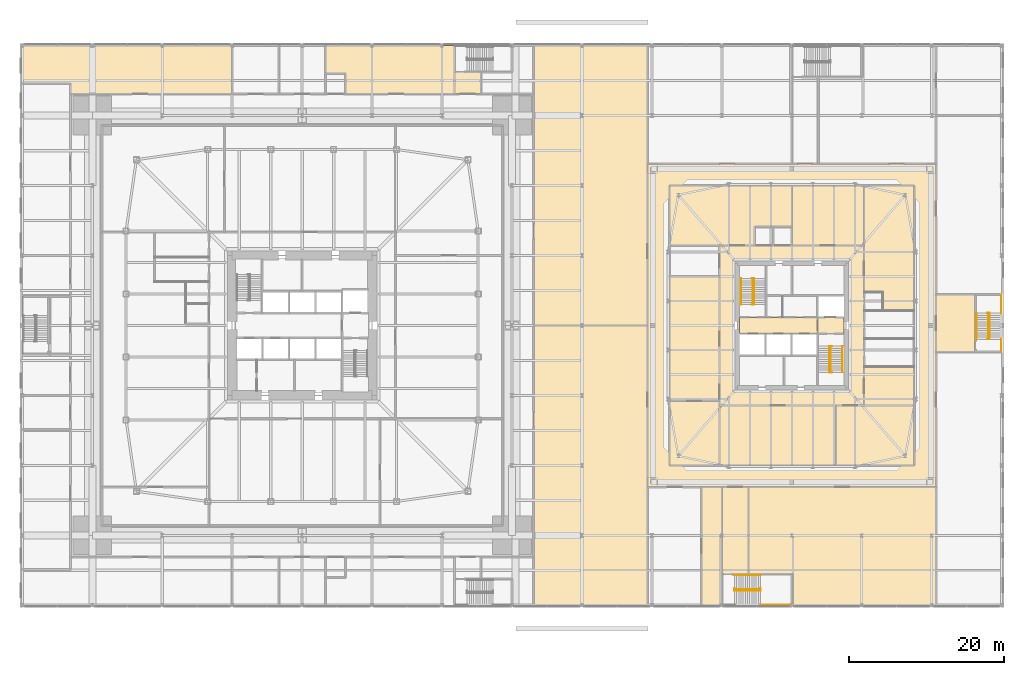
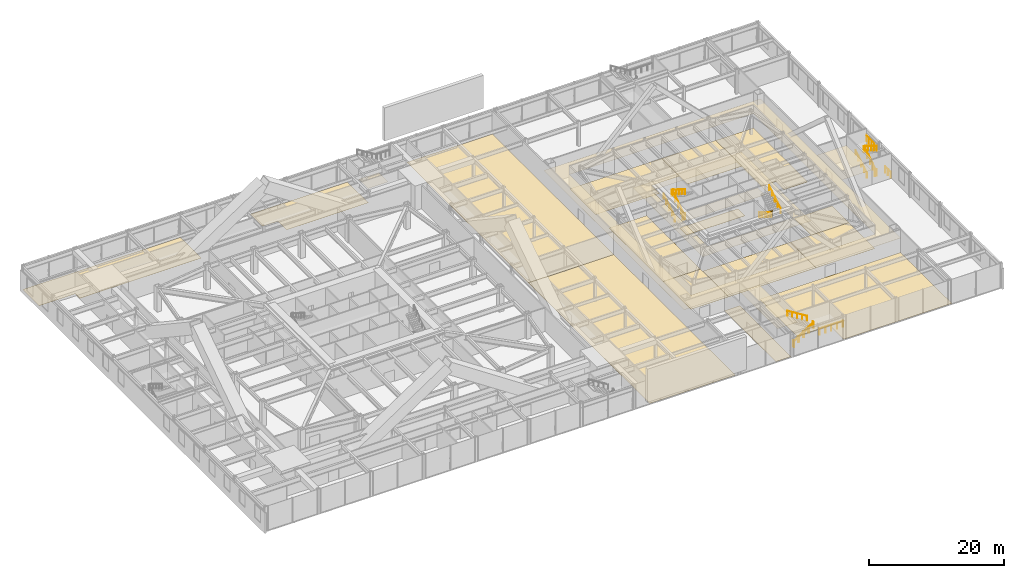
# One storey, part 31 of 32: 22 coverings, 15 railings.
"""IFC4 building model written with IfcOpenShell, lengths in metres."""

import ifcopenshell
import ifcopenshell.guid

model = None  # the IFC model being written
_history = None  # IfcOwnerHistory: only IFC2X3 demands one
_inside = {}  # id of a spatial element -> (the spatial element, [elements in it])
_under = {}  # id of a project, library or spatial element -> (it, [spatial elements below it])
_declared = {}  # id of a project -> (the project, [libraries it declares])
_typed = {}  # id of a type object -> (the type object, [elements of that type])
_made_of = {}  # id of a material, layer set ... -> (it, [elements and type objects made of it])


def new_model(schema):
    """Start an empty IFC model of exactly this schema.

    Asked for "IFC4X3", IfcOpenShell would pick the latest addendum, in which some entities
    have other attributes; the version numbers below select the first issue.
    IFC2X3 requires an IfcOwnerHistory on every rooted entity: one is made here for all.
    """
    global model, _history
    if schema == "IFC4X3":
        model = ifcopenshell.file(schema_version=(4, 3, 0, 0))
    else:
        model = ifcopenshell.file(schema=schema)
    _inside.clear()
    _under.clear()
    _declared.clear()
    _typed.clear()
    _made_of.clear()
    _history = None
    if model.schema == "IFC2X3":
        org = make("IfcOrganization", Name="unknown")
        user = make(
            "IfcPersonAndOrganization",
            ThePerson=make("IfcPerson", FamilyName="unknown"),
            TheOrganization=org,
        )
        app = make(
            "IfcApplication",
            ApplicationDeveloper=org,
            Version="unknown",
            ApplicationFullName="unknown",
            ApplicationIdentifier="unknown",
        )
        _history = make(
            "IfcOwnerHistory",
            OwningUser=user,
            OwningApplication=app,
            ChangeAction="ADDED",
            CreationDate=0,
        )
    return model


def make(cls, **values):
    """One entity of the class cls with the attributes given. An attribute that is None is left unset."""
    return model.create_entity(
        cls, **{name: value for name, value in values.items() if value is not None}
    )


def rooted(cls, **values):
    """An entity with a GlobalId (a new one), such as an element, a storey or a relation."""
    return make(cls, GlobalId=ifcopenshell.guid.new(), OwnerHistory=_history, **values)


def si_unit(unit_type, name, prefix=None):
    """IfcSIUnit, for example si_unit("LENGTHUNIT", "METRE", prefix="MILLI")."""
    return make("IfcSIUnit", UnitType=unit_type, Prefix=prefix, Name=name)


def assignment(units):
    """IfcUnitAssignment: the units of a project."""
    return None if units is None else make("IfcUnitAssignment", Units=units)


def point(xyz):
    """IfcCartesianPoint."""
    return None if xyz is None else make("IfcCartesianPoint", Coordinates=xyz)


def direction(xyz):
    """IfcDirection."""
    return None if xyz is None else make("IfcDirection", DirectionRatios=xyz)


def frame(location, z_axis=None, x_axis=None):
    """IfcAxis2Placement3D, a coordinate frame: its origin and axes. An axis left out is left unset."""
    return make(
        "IfcAxis2Placement3D",
        Location=point(location),
        Axis=direction(z_axis),
        RefDirection=direction(x_axis),
    )


def frame_2d(location, x_axis=None):
    """IfcAxis2Placement2D, a coordinate frame in the plane: its origin and x axis."""
    return make(
        "IfcAxis2Placement2D", Location=point(location), RefDirection=direction(x_axis)
    )


def origin():
    """The frame at (0, 0, 0) with its axes left unset."""
    return frame((0.0, 0.0, 0.0))


def origin_2d():
    """The frame at (0, 0) in the plane with its x axis left unset."""
    return frame_2d((0.0, 0.0))


def place(relative_to, where):
    """IfcLocalPlacement: puts the frame where relative to a parent placement (None: the world)."""
    return make(
        "IfcLocalPlacement", PlacementRelTo=relative_to, RelativePlacement=where
    )


def context(
    kind, dimensions, precision=None, world=None, true_north=None, identifier=None
):
    """IfcGeometricRepresentationContext, for example the 3D "Model" context."""
    return make(
        "IfcGeometricRepresentationContext",
        ContextIdentifier=identifier,
        ContextType=kind,
        CoordinateSpaceDimension=dimensions,
        Precision=precision,
        WorldCoordinateSystem=world,
        TrueNorth=true_north,
    )


def subcontext(parent, identifier, kind, view, scale=None):
    """IfcGeometricRepresentationSubContext, for example "Body" below "Model"."""
    return make(
        "IfcGeometricRepresentationSubContext",
        ContextIdentifier=identifier,
        ContextType=kind,
        ParentContext=parent,
        TargetScale=scale,
        TargetView=view,
    )


def project(units=None, contexts=None):
    """IfcProject with its units and contexts."""
    return rooted(
        "IfcProject",
        Name="project",
        RepresentationContexts=contexts,
        UnitsInContext=assignment(units),
    )


def spatial(cls, under=None, at=None, **own):
    """A site, building, storey or space (cls), placed at a placement, below another one or the project."""
    s = rooted(cls, ObjectPlacement=at, **own)
    if under is not None:
        _under.setdefault(under.id(), (under, []))[1].append(s)
    return s


def polyline(points):
    """IfcPolyline through the points."""
    return make("IfcPolyline", Points=[point(p) for p in points])


def profile(cls, at=None, kind="AREA", **sizes):
    """A parametric profile (cls). Its sizes go by their IFC names, for example OverallWidth=200.0."""
    return make(cls, ProfileType=kind, Position=at, **sizes)


def circle(**sizes):
    """IfcCircleProfileDef."""
    return profile("IfcCircleProfileDef", **sizes)


def outline(outer, holes=None, kind="AREA"):
    """IfcArbitraryClosedProfileDef: a profile drawn as a closed curve; with holes, ...WithVoids."""
    if holes is None:
        return make("IfcArbitraryClosedProfileDef", ProfileType=kind, OuterCurve=outer)
    return make(
        "IfcArbitraryProfileDefWithVoids",
        ProfileType=kind,
        OuterCurve=outer,
        InnerCurves=holes,
    )


def extrude(swept, where, along, depth):
    """IfcExtrudedAreaSolid: the profile swept, set in the frame where, extruded along a direction by depth."""
    return make(
        "IfcExtrudedAreaSolid",
        SweptArea=swept,
        Position=where,
        ExtrudedDirection=direction(along),
        Depth=depth,
    )


def shape(context_of_items, identifier, shape_type, items):
    """IfcShapeRepresentation: the items that make up one representation, for example the "Body"."""
    return make(
        "IfcShapeRepresentation",
        ContextOfItems=context_of_items,
        RepresentationIdentifier=identifier,
        RepresentationType=shape_type,
        Items=items,
    )


def material(Name=None, Category=None):
    """IfcMaterial."""
    return make("IfcMaterial", Name=Name, Category=Category)


def layer(
    of_material, thickness, ventilated=None, Name=None, Category=None, Priority=None
):
    """IfcMaterialLayer: one layer of a wall or slab, of a material (None: an air gap)."""
    return make(
        "IfcMaterialLayer",
        Material=of_material,
        LayerThickness=thickness,
        IsVentilated=ventilated,
        Name=Name,
        Category=Category,
        Priority=Priority,
    )


def layer_set(layers, Name=None):
    """IfcMaterialLayerSet."""
    return make("IfcMaterialLayerSet", MaterialLayers=layers, LayerSetName=Name)


def constituent(of_material, Name=None, Category=None, fraction=None):
    """IfcMaterialConstituent: one of the materials an element consists of."""
    return make(
        "IfcMaterialConstituent",
        Name=Name,
        Material=of_material,
        Fraction=fraction,
        Category=Category,
    )


def constituent_set(constituents=None, Name=None):
    """IfcMaterialConstituentSet."""
    return make(
        "IfcMaterialConstituentSet", Name=Name, MaterialConstituents=constituents
    )


def made_of(thing, what):
    """Note that an element or type object is made of a material, layer set ...; save() writes the relation."""
    if what is not None:
        _made_of.setdefault(what.id(), (what, []))[1].append(thing)
    return thing


def type_object(cls, material=None, **own):
    """A type object (cls), such as IfcWallType, which elements share."""
    return made_of(rooted(cls, **own), material)


def element(
    cls,
    number,
    at=None,
    inside=None,
    cuts=None,
    type_object=None,
    material=None,
    context=None,
    identifier="Body",
    shape_type=None,
    held_by="IfcProductDefinitionShape",
    body=None,
    shapes=None,
    **own,
):
    """One element of the class cls, such as IfcWall. Its Tag is "e" and its number.

    at: its placement. inside: the storey or other place that contains it. cuts: it is an
    opening in that element (IfcRelVoidsElement). A single representation is given by context,
    identifier, shape_type and body (its items); several are given by shapes. held_by: the class
    of the entity that holds the representations. save() writes the other relations.
    """
    e = rooted(cls, Tag="e%d" % number, ObjectPlacement=at, **own)
    if body is not None:
        shapes = [shape(context, identifier, shape_type, body)]
    if shapes is not None:
        e.Representation = make(held_by, Representations=shapes)
    if inside is not None:
        _inside.setdefault(inside.id(), (inside, []))[1].append(e)
    if cuts is not None:
        rooted(
            "IfcRelVoidsElement", RelatingBuildingElement=cuts, RelatedOpeningElement=e
        )
    if type_object is not None:
        _typed.setdefault(type_object.id(), (type_object, []))[1].append(e)
    return made_of(e, material)


def aggregate(whole, parts):
    """IfcRelAggregates: a whole, such as a stair, and the parts it consists of."""
    return rooted("IfcRelAggregates", RelatingObject=whole, RelatedObjects=parts)


def save(model, path):
    """Write the relations noted so far, then the file.

    IfcRelAggregates (storeys below a building ...), IfcRelContainedInSpatialStructure (elements
    in a storey), IfcRelDefinesByType, IfcRelAssociatesMaterial and IfcRelDeclares: one each for
    every whole, place, type object, material and project.
    """
    for whole, parts in _under.values():
        aggregate(whole, parts)
    for where, things in _inside.values():
        rooted(
            "IfcRelContainedInSpatialStructure",
            RelatedElements=things,
            RelatingStructure=where,
        )
    for kind, things in _typed.values():
        rooted("IfcRelDefinesByType", RelatedObjects=things, RelatingType=kind)
    for what, things in _made_of.values():
        rooted("IfcRelAssociatesMaterial", RelatedObjects=things, RelatingMaterial=what)
    for by, libraries in _declared.values():
        rooted("IfcRelDeclares", RelatingContext=by, RelatedDefinitions=libraries)
    model.write(path)


model = new_model("IFC4")

# Units and contexts
model_context = context("Model", 3, precision=1e-05, world=origin(), true_north=direction((0.0, 1.0)))
body_context = subcontext(model_context, "Body", "Model", "MODEL_VIEW")
ifc_project = project(units=[si_unit("LENGTHUNIT", "METRE"), si_unit("AREAUNIT", "SQUARE_METRE"), si_unit("VOLUMEUNIT", "CUBIC_METRE"), si_unit("PLANEANGLEUNIT", "RADIAN"), si_unit("MASSUNIT", "GRAM", prefix="KILO")], contexts=[model_context])

# Site, building, storey
site_placement = place(None, origin())
site = spatial("IfcSite", under=ifc_project, at=site_placement, CompositionType="ELEMENT")
building_placement = place(site_placement, origin())
building = spatial("IfcBuilding", under=site, at=building_placement, Name="Iwan Alto Co-Living Towers", CompositionType="ELEMENT")
storey_placement = place(building_placement, frame((0.0, 0.0, 6.0)))
storey = spatial("IfcBuildingStorey", under=building, at=storey_placement, Name="L01", CompositionType="ELEMENT", Elevation=6.0)

# Coverings
ifc_material_1 = material(Name="Mineral fibre acoustic tiles on steel grid", Category="steel")
ifc_layer_1 = layer(ifc_material_1, 0.02001953125)
ifc_layer_set_1 = layer_set([ifc_layer_1], Name="ACOUSTIC TILE CEILING 20")
covering_type_1 = type_object("IfcCoveringType", Name="ACOUSTIC TILE CEILING 20", PredefinedType="CEILING", material=ifc_layer_set_1)
covering_1_placement = place(storey_placement, frame((0.0, 0.0, 2.60009765625)))
element("IfcCovering", 1, at=covering_1_placement, inside=storey, type_object=covering_type_1, Name="Ceiling Lift lobby L01", PredefinedType="CEILING", context=body_context, shape_type="SweptSolid", body=[
    extrude(outline(polyline([(56.300048828125, -1.050048828125), (56.300048828125, 1.050048828125), (66.300048828125, 1.050048828125), (66.300048828125, -1.050048828125), (56.300048828125, -1.050048828125)])), origin(), (0.0, 0.0, 1.0), 0.02001953125),
])
covering_2_placement = place(storey_placement, frame((0.0, 0.0, 2.60009765625)))
element("IfcCovering", 2, at=covering_2_placement, inside=storey, type_object=covering_type_1, Name="Ceiling Firefighting lobby L01", PredefinedType="CEILING", context=body_context, shape_type="SweptSolid", body=[
    extrude(outline(polyline([(66.300048828125, -1.050048828125), (66.300048828125, 1.050048828125), (69.699951171875, 1.050048828125), (69.699951171875, -1.050048828125), (66.300048828125, -1.050048828125)])), origin(), (0.0, 0.0, 1.0), 0.02001953125),
])

# Railings
ifc_material_2 = material(Name="Steel ASTM A500 Gr C", Category="steel")
ifc_constituent_1 = constituent(ifc_material_2, Name="Rails and posts", Category="Framing")
ifc_material_3 = material(Name="Steel ASTM A36", Category="steel")
ifc_constituent_2 = constituent(ifc_material_3, Name="Bar infill", Category="Infill")
ifc_constituent_set = constituent_set(constituents=[ifc_constituent_1, ifc_constituent_2], Name="STAIR GUARD 1100")
railing_type_1 = type_object("IfcRailingType", Name="STAIR GUARD 1100", PredefinedType="GUARDRAIL", material=ifc_constituent_set)
railing_1_placement = place(storey_placement, frame((88.300048828125, -1.780029296875, 0.0)))
element("IfcRailing", 3, at=railing_1_placement, inside=storey, type_object=railing_type_1, Name="Stair PS2 well guard L01", PredefinedType="GUARDRAIL", context=body_context, shape_type="SweptSolid", body=[
    extrude(circle(Radius=0.02392578125, at=origin_2d()), frame((0.0, 0.0, 1.076171875), z_axis=(0.0, 0.830915400975, 0.556398774641), x_axis=(-1.0, 0.0, 0.0)), (0.0, 0.0, 1.0), 4.0439453125),
    extrude(circle(Radius=0.02392578125, at=origin_2d()), frame((-0.150146484375, 0.0, 1.076171875), z_axis=(1.0, 0.0, 0.0), x_axis=(0.0, 1.0, 0.0)), (0.0, 0.0, 1.0), 0.300048828125),
    extrude(circle(Radius=0.02392578125, at=origin_2d()), frame((-0.150146484375, 3.360107421875, 3.326171875), z_axis=(1.0, 0.0, 0.0), x_axis=(0.0, 1.0, 0.0)), (0.0, 0.0, 1.0), 0.300048828125),
    extrude(circle(Radius=0.02099609375, at=origin_2d()), origin(), (0.0, 0.0, 1.0), 1.052001953125),
    extrude(circle(Radius=0.02099609375, at=origin_2d()), frame((0.0, 0.840087890625, 0.5625)), (0.0, 0.0, 1.0), 1.052001953125),
    extrude(circle(Radius=0.02099609375, at=origin_2d()), frame((0.0, 1.68017578125, 1.125)), (0.0, 0.0, 1.0), 1.052001953125),
    extrude(circle(Radius=0.02099609375, at=origin_2d()), frame((0.0, 2.52001953125, 1.6875)), (0.0, 0.0, 1.0), 1.052001953125),
    extrude(circle(Radius=0.02099609375, at=origin_2d()), frame((0.0, 3.360107421875, 2.25)), (0.0, 0.0, 1.0), 1.052001953125),
    extrude(circle(Radius=0.02099609375, at=origin_2d()), frame((-0.150146484375, 0.0, 0.0)), (0.0, 0.0, 1.0), 1.052001953125),
    extrude(circle(Radius=0.02099609375, at=origin_2d()), frame((0.14990234375, 0.0, 0.0)), (0.0, 0.0, 1.0), 1.052001953125),
    extrude(circle(Radius=0.02099609375, at=origin_2d()), frame((-0.150146484375, 3.360107421875, 2.25)), (0.0, 0.0, 1.0), 1.052001953125),
    extrude(circle(Radius=0.02099609375, at=origin_2d()), frame((0.14990234375, 3.360107421875, 2.25)), (0.0, 0.0, 1.0), 1.052001953125),
])
railing_2_placement = place(storey_placement, frame((89.93994140625, -3.35009765625, 0.0)))
element("IfcRailing", 4, at=railing_2_placement, inside=storey, type_object=railing_type_1, Name="Stair PS2 edge guard L01 1", PredefinedType="GUARDRAIL", context=body_context, shape_type="SweptSolid", body=[
    extrude(circle(Radius=0.02392578125, at=origin_2d()), frame((0.0, 0.0, 1.076171875), z_axis=(0.0, 1.0, 0.0), x_axis=(-1.0, 0.0, 0.0)), (0.0, 0.0, 1.0), 1.6201171875),
    extrude(circle(Radius=0.02099609375, at=origin_2d()), origin(), (0.0, 0.0, 1.0), 1.052001953125),
    extrude(circle(Radius=0.02099609375, at=origin_2d()), frame((0.0, 0.81005859375, 0.0)), (0.0, 0.0, 1.0), 1.052001953125),
    extrude(circle(Radius=0.02099609375, at=origin_2d()), frame((0.0, 1.6201171875, 0.0)), (0.0, 0.0, 1.0), 1.052001953125),
])
railing_3_placement = place(storey_placement, frame((89.93994140625, 1.530029296875, 2.25)))
element("IfcRailing", 5, at=railing_3_placement, inside=storey, type_object=railing_type_1, Name="Stair PS2 edge guard L01 2", PredefinedType="GUARDRAIL", context=body_context, shape_type="SweptSolid", body=[
    extrude(circle(Radius=0.02392578125, at=origin_2d()), frame((0.0, 0.0, 1.076171875), z_axis=(0.0, 1.0, 0.0), x_axis=(-1.0, 0.0, 0.0)), (0.0, 0.0, 1.0), 2.419921875),
    extrude(circle(Radius=0.02099609375, at=origin_2d()), origin(), (0.0, 0.0, 1.0), 1.052001953125),
    extrude(circle(Radius=0.02099609375, at=origin_2d()), frame((0.0, 0.806640625, 0.0)), (0.0, 0.0, 1.0), 1.052001953125),
    extrude(circle(Radius=0.02099609375, at=origin_2d()), frame((0.0, 1.61328125, 0.0)), (0.0, 0.0, 1.0), 1.052001953125),
    extrude(circle(Radius=0.02099609375, at=origin_2d()), frame((0.0, 2.419921875, 0.0)), (0.0, 0.0, 1.0), 1.052001953125),
])
railing_4_placement = place(storey_placement, frame((55.6201171875, -33.97998046875, 0.0)))
element("IfcRailing", 6, at=railing_4_placement, inside=storey, type_object=railing_type_1, Name="Stair PS6 well guard L01", PredefinedType="GUARDRAIL", context=body_context, shape_type="SweptSolid", body=[
    extrude(circle(Radius=0.02392578125, at=origin_2d()), frame((0.0, 0.0, 1.076171875), z_axis=(0.830896709279, 0.0, 0.556426687452), x_axis=(0.0, 1.0, 0.0)), (0.0, 0.0, 1.0), 4.043701171875),
    extrude(circle(Radius=0.02392578125, at=origin_2d()), frame((0.0, -0.14990234375, 1.076171875), z_axis=(0.0, 1.0, 0.0), x_axis=(-1.0, 0.0, 0.0)), (0.0, 0.0, 1.0), 0.2998046875),
    extrude(circle(Radius=0.02392578125, at=origin_2d()), frame((3.35986328125, -0.14990234375, 3.326171875), z_axis=(0.0, 1.0, 0.0), x_axis=(-1.0, 0.0, 0.0)), (0.0, 0.0, 1.0), 0.2998046875),
    extrude(circle(Radius=0.02099609375, at=origin_2d()), origin(), (0.0, 0.0, 1.0), 1.052001953125),
    extrude(circle(Radius=0.02099609375, at=origin_2d()), frame((0.83984375, 0.0, 0.5625)), (0.0, 0.0, 1.0), 1.052001953125),
    extrude(circle(Radius=0.02099609375, at=origin_2d()), frame((1.679931640625, 0.0, 1.125)), (0.0, 0.0, 1.0), 1.052001953125),
    extrude(circle(Radius=0.02099609375, at=origin_2d()), frame((2.52001953125, 0.0, 1.6875)), (0.0, 0.0, 1.0), 1.052001953125),
    extrude(circle(Radius=0.02099609375, at=origin_2d()), frame((3.35986328125, 0.0, 2.25)), (0.0, 0.0, 1.0), 1.052001953125),
    extrude(circle(Radius=0.02099609375, at=origin_2d()), frame((0.0, -0.14990234375, 0.0)), (0.0, 0.0, 1.0), 1.052001953125),
    extrude(circle(Radius=0.02099609375, at=origin_2d()), frame((0.0, 0.14990234375, 0.0)), (0.0, 0.0, 1.0), 1.052001953125),
    extrude(circle(Radius=0.02099609375, at=origin_2d()), frame((3.35986328125, -0.14990234375, 2.25)), (0.0, 0.0, 1.0), 1.052001953125),
    extrude(circle(Radius=0.02099609375, at=origin_2d()), frame((3.35986328125, 0.14990234375, 2.25)), (0.0, 0.0, 1.0), 1.052001953125),
])
railing_5_placement = place(storey_placement, frame((58.929931640625, -35.93994140625, 2.25)))
element("IfcRailing", 7, at=railing_5_placement, inside=storey, type_object=railing_type_1, Name="Stair PS6 edge guard L01 2", PredefinedType="GUARDRAIL", context=body_context, shape_type="SweptSolid", body=[
    extrude(circle(Radius=0.02392578125, at=origin_2d()), frame((0.0, 0.0, 1.076171875), z_axis=(1.0, 0.0, 0.0), x_axis=(0.0, 1.0, 0.0)), (0.0, 0.0, 1.0), 4.02001953125),
    extrude(circle(Radius=0.02099609375, at=origin_2d()), origin(), (0.0, 0.0, 1.0), 1.052001953125),
    extrude(circle(Radius=0.02099609375, at=origin_2d()), frame((1.0048828125, 0.0, 0.0)), (0.0, 0.0, 1.0), 1.052001953125),
    extrude(circle(Radius=0.02099609375, at=origin_2d()), frame((2.010009765625, 0.0, 0.0)), (0.0, 0.0, 1.0), 1.052001953125),
    extrude(circle(Radius=0.02099609375, at=origin_2d()), frame((3.01513671875, 0.0, 0.0)), (0.0, 0.0, 1.0), 1.052001953125),
    extrude(circle(Radius=0.02099609375, at=origin_2d()), frame((4.02001953125, 0.0, 0.0)), (0.0, 0.0, 1.0), 1.052001953125),
])
railing_6_placement = place(storey_placement, frame((58.0, 2.669921875, 0.0)))
element("IfcRailing", 8, at=railing_6_placement, inside=storey, type_object=railing_type_1, Name="Stair T2-S1 well guard L01", PredefinedType="GUARDRAIL", context=body_context, shape_type="SweptSolid", body=[
    extrude(circle(Radius=0.02392578125, at=origin_2d()), frame((0.0, 0.0, 1.076171875), z_axis=(0.0, 0.830915400975, 0.556398774641), x_axis=(-1.0, 0.0, 0.0)), (0.0, 0.0, 1.0), 4.0439453125),
    extrude(circle(Radius=0.02392578125, at=origin_2d()), frame((-0.14990234375, 0.0, 1.076171875), z_axis=(1.0, 0.0, 0.0), x_axis=(0.0, 1.0, 0.0)), (0.0, 0.0, 1.0), 0.2998046875),
    extrude(circle(Radius=0.02392578125, at=origin_2d()), frame((-0.14990234375, 3.360107421875, 3.326171875), z_axis=(1.0, 0.0, 0.0), x_axis=(0.0, 1.0, 0.0)), (0.0, 0.0, 1.0), 0.2998046875),
    extrude(circle(Radius=0.02099609375, at=origin_2d()), origin(), (0.0, 0.0, 1.0), 1.052001953125),
    extrude(circle(Radius=0.02099609375, at=origin_2d()), frame((0.0, 0.840087890625, 0.5625)), (0.0, 0.0, 1.0), 1.052001953125),
    extrude(circle(Radius=0.02099609375, at=origin_2d()), frame((0.0, 1.68017578125, 1.125)), (0.0, 0.0, 1.0), 1.052001953125),
    extrude(circle(Radius=0.02099609375, at=origin_2d()), frame((0.0, 2.52001953125, 1.6875)), (0.0, 0.0, 1.0), 1.052001953125),
    extrude(circle(Radius=0.02099609375, at=origin_2d()), frame((0.0, 3.360107421875, 2.25)), (0.0, 0.0, 1.0), 1.052001953125),
    extrude(circle(Radius=0.02099609375, at=origin_2d()), frame((-0.14990234375, 0.0, 0.0)), (0.0, 0.0, 1.0), 1.052001953125),
    extrude(circle(Radius=0.02099609375, at=origin_2d()), frame((0.14990234375, 0.0, 0.0)), (0.0, 0.0, 1.0), 1.052001953125),
    extrude(circle(Radius=0.02099609375, at=origin_2d()), frame((-0.14990234375, 3.360107421875, 2.25)), (0.0, 0.0, 1.0), 1.052001953125),
    extrude(circle(Radius=0.02099609375, at=origin_2d()), frame((0.14990234375, 3.360107421875, 2.25)), (0.0, 0.0, 1.0), 1.052001953125),
])
railing_7_placement = place(storey_placement, frame((68.0, -2.669921875, 0.0)))
element("IfcRailing", 9, at=railing_7_placement, inside=storey, type_object=railing_type_1, Name="Stair T2-S2 well guard L01", PredefinedType="GUARDRAIL", context=body_context, shape_type="SweptSolid", body=[
    extrude(circle(Radius=0.02392578125, at=origin_2d()), frame((0.0, 0.0, 1.076171875), z_axis=(0.0, -0.830915400975, 0.556398774641), x_axis=(1.0, 0.0, 0.0)), (0.0, 0.0, 1.0), 4.0439453125),
    extrude(circle(Radius=0.02392578125, at=origin_2d()), frame((-0.14990234375, 0.0, 1.076171875), z_axis=(1.0, 0.0, 0.0), x_axis=(0.0, 1.0, 0.0)), (0.0, 0.0, 1.0), 0.2998046875),
    extrude(circle(Radius=0.02392578125, at=origin_2d()), frame((-0.14990234375, -3.360107421875, 3.326171875), z_axis=(1.0, 0.0, 0.0), x_axis=(0.0, 1.0, 0.0)), (0.0, 0.0, 1.0), 0.2998046875),
    extrude(circle(Radius=0.02099609375, at=origin_2d()), origin(), (0.0, 0.0, 1.0), 1.052001953125),
    extrude(circle(Radius=0.02099609375, at=origin_2d()), frame((0.0, -0.840087890625, 0.5625)), (0.0, 0.0, 1.0), 1.052001953125),
    extrude(circle(Radius=0.02099609375, at=origin_2d()), frame((0.0, -1.68017578125, 1.125)), (0.0, 0.0, 1.0), 1.052001953125),
    extrude(circle(Radius=0.02099609375, at=origin_2d()), frame((0.0, -2.52001953125, 1.6875)), (0.0, 0.0, 1.0), 1.052001953125),
    extrude(circle(Radius=0.02099609375, at=origin_2d()), frame((0.0, -3.360107421875, 2.25)), (0.0, 0.0, 1.0), 1.052001953125),
    extrude(circle(Radius=0.02099609375, at=origin_2d()), frame((-0.14990234375, 0.0, 0.0)), (0.0, 0.0, 1.0), 1.052001953125),
    extrude(circle(Radius=0.02099609375, at=origin_2d()), frame((0.14990234375, 0.0, 0.0)), (0.0, 0.0, 1.0), 1.052001953125),
    extrude(circle(Radius=0.02099609375, at=origin_2d()), frame((-0.14990234375, -3.360107421875, 2.25)), (0.0, 0.0, 1.0), 1.052001953125),
    extrude(circle(Radius=0.02099609375, at=origin_2d()), frame((0.14990234375, -3.360107421875, 2.25)), (0.0, 0.0, 1.0), 1.052001953125),
])
ifc_material_4 = material(Name="Steel ASTM A500 Gr C", Category="steel")
railing_type_2 = type_object("IfcRailingType", Name="STAIR HANDRAIL 900", PredefinedType="HANDRAIL", material=ifc_material_4)
railing_8_placement = place(storey_placement, frame((86.77001953125, -1.780029296875, 0.173095703125)))
element("IfcRailing", 10, at=railing_8_placement, inside=storey, type_object=railing_type_2, Name="Stair PS2 handrail 1 L01", PredefinedType="HANDRAIL", context=body_context, shape_type="SweptSolid", body=[
    extrude(circle(Radius=0.02392578125, at=origin_2d()), frame((0.0, 0.0, 0.8759765625), z_axis=(0.0, 0.850623216509, 0.525775754039), x_axis=(-1.0, 0.0, 0.0)), (0.0, 0.0, 1.0), 3.9501953125),
    extrude(circle(Radius=0.02099609375, at=origin_2d()), origin(), (0.0, 0.0, 1.0), 0.851806640625),
    extrude(circle(Radius=0.02099609375, at=origin_2d()), frame((0.0, 0.840087890625, 0.519287109375)), (0.0, 0.0, 1.0), 0.851806640625),
    extrude(circle(Radius=0.02099609375, at=origin_2d()), frame((0.0, 1.68017578125, 1.03857421875)), (0.0, 0.0, 1.0), 0.851806640625),
    extrude(circle(Radius=0.02099609375, at=origin_2d()), frame((0.0, 2.52001953125, 1.5576171875)), (0.0, 0.0, 1.0), 0.851806640625),
    extrude(circle(Radius=0.02099609375, at=origin_2d()), frame((0.0, 3.360107421875, 2.076904296875)), (0.0, 0.0, 1.0), 0.851806640625),
])
railing_9_placement = place(storey_placement, frame((88.449951171875, 1.580078125, 2.423095703125)))
element("IfcRailing", 11, at=railing_9_placement, inside=storey, type_object=railing_type_2, Name="Stair PS2 handrail 2 L01", PredefinedType="HANDRAIL", context=body_context, shape_type="SweptSolid", body=[
    extrude(circle(Radius=0.02392578125, at=origin_2d()), frame((0.0, 0.0, 0.8759765625), z_axis=(0.0, -0.850623216509, 0.525775754039), x_axis=(1.0, 0.0, 0.0)), (0.0, 0.0, 1.0), 3.9501953125),
    extrude(circle(Radius=0.02099609375, at=origin_2d()), origin(), (0.0, 0.0, 1.0), 0.851806640625),
    extrude(circle(Radius=0.02099609375, at=origin_2d()), frame((0.0, -0.840087890625, 0.519287109375)), (0.0, 0.0, 1.0), 0.851806640625),
    extrude(circle(Radius=0.02099609375, at=origin_2d()), frame((0.0, -1.68017578125, 1.03857421875)), (0.0, 0.0, 1.0), 0.851806640625),
    extrude(circle(Radius=0.02099609375, at=origin_2d()), frame((0.0, -2.52001953125, 1.5576171875)), (0.0, 0.0, 1.0), 0.851806640625),
    extrude(circle(Radius=0.02099609375, at=origin_2d()), frame((0.0, -3.360107421875, 2.076904296875)), (0.0, 0.0, 1.0), 0.851806640625),
])
railing_10_placement = place(storey_placement, frame((55.6201171875, -34.1298828125, 0.173095703125)))
element("IfcRailing", 12, at=railing_10_placement, inside=storey, type_object=railing_type_2, Name="Stair PS6 handrail 1 L01", PredefinedType="HANDRAIL", context=body_context, shape_type="SweptSolid", body=[
    extrude(circle(Radius=0.02392578125, at=origin_2d()), frame((0.0, 0.0, 0.8759765625), z_axis=(0.850606129759, 0.0, 0.525803396734), x_axis=(0.0, 1.0, 0.0)), (0.0, 0.0, 1.0), 3.949951171875),
    extrude(circle(Radius=0.02099609375, at=origin_2d()), origin(), (0.0, 0.0, 1.0), 0.851806640625),
    extrude(circle(Radius=0.02099609375, at=origin_2d()), frame((0.83984375, 0.0, 0.519287109375)), (0.0, 0.0, 1.0), 0.851806640625),
    extrude(circle(Radius=0.02099609375, at=origin_2d()), frame((1.679931640625, 0.0, 1.03857421875)), (0.0, 0.0, 1.0), 0.851806640625),
    extrude(circle(Radius=0.02099609375, at=origin_2d()), frame((2.52001953125, 0.0, 1.5576171875)), (0.0, 0.0, 1.0), 0.851806640625),
    extrude(circle(Radius=0.02099609375, at=origin_2d()), frame((3.35986328125, 0.0, 2.076904296875)), (0.0, 0.0, 1.0), 0.851806640625),
])
railing_11_placement = place(storey_placement, frame((58.97998046875, -32.1298828125, 2.423095703125)))
element("IfcRailing", 13, at=railing_11_placement, inside=storey, type_object=railing_type_2, Name="Stair PS6 handrail 2 L01", PredefinedType="HANDRAIL", context=body_context, shape_type="SweptSolid", body=[
    extrude(circle(Radius=0.02392578125, at=origin_2d()), frame((0.0, 0.0, 0.8759765625), z_axis=(-0.850606129759, 0.0, 0.525803396734), x_axis=(0.0, -1.0, 0.0)), (0.0, 0.0, 1.0), 3.949951171875),
    extrude(circle(Radius=0.02099609375, at=origin_2d()), origin(), (0.0, 0.0, 1.0), 0.851806640625),
    extrude(circle(Radius=0.02099609375, at=origin_2d()), frame((-0.83984375, 0.0, 0.519287109375)), (0.0, 0.0, 1.0), 0.851806640625),
    extrude(circle(Radius=0.02099609375, at=origin_2d()), frame((-1.679931640625, 0.0, 1.03857421875)), (0.0, 0.0, 1.0), 0.851806640625),
    extrude(circle(Radius=0.02099609375, at=origin_2d()), frame((-2.52001953125, 0.0, 1.5576171875)), (0.0, 0.0, 1.0), 0.851806640625),
    extrude(circle(Radius=0.02099609375, at=origin_2d()), frame((-3.35986328125, 0.0, 2.076904296875)), (0.0, 0.0, 1.0), 0.851806640625),
])
railing_12_placement = place(storey_placement, frame((56.469970703125, 2.669921875, 0.173095703125)))
element("IfcRailing", 14, at=railing_12_placement, inside=storey, type_object=railing_type_2, Name="Stair T2-S1 handrail 1 L01", PredefinedType="HANDRAIL", context=body_context, shape_type="SweptSolid", body=[
    extrude(circle(Radius=0.02392578125, at=origin_2d()), frame((0.0, 0.0, 0.8759765625), z_axis=(0.0, 0.850623216509, 0.525775754039), x_axis=(-1.0, 0.0, 0.0)), (0.0, 0.0, 1.0), 3.9501953125),
    extrude(circle(Radius=0.02099609375, at=origin_2d()), origin(), (0.0, 0.0, 1.0), 0.851806640625),
    extrude(circle(Radius=0.02099609375, at=origin_2d()), frame((0.0, 0.840087890625, 0.519287109375)), (0.0, 0.0, 1.0), 0.851806640625),
    extrude(circle(Radius=0.02099609375, at=origin_2d()), frame((0.0, 1.68017578125, 1.03857421875)), (0.0, 0.0, 1.0), 0.851806640625),
    extrude(circle(Radius=0.02099609375, at=origin_2d()), frame((0.0, 2.52001953125, 1.5576171875)), (0.0, 0.0, 1.0), 0.851806640625),
    extrude(circle(Radius=0.02099609375, at=origin_2d()), frame((0.0, 3.360107421875, 2.076904296875)), (0.0, 0.0, 1.0), 0.851806640625),
])
for number, where, name in (
    (15, (58.14990234375, 6.030029296875, 2.423095703125), "Stair T2-S1 handrail 2 L01"),
    (16, (67.85009765625, -2.669921875, 0.173095703125), "Stair T2-S2 handrail 1 L01"),
):
    element("IfcRailing", number, at=place(storey_placement, frame(where)), inside=storey, type_object=railing_type_2, Name=name, PredefinedType="HANDRAIL", context=body_context, shape_type="SweptSolid", body=[
        extrude(circle(Radius=0.02392578125, at=origin_2d()), frame((0.0, 0.0, 0.8759765625), z_axis=(0.0, -0.850623216509, 0.525775754039), x_axis=(1.0, 0.0, 0.0)), (0.0, 0.0, 1.0), 3.9501953125),
        extrude(circle(Radius=0.02099609375, at=origin_2d()), origin(), (0.0, 0.0, 1.0), 0.851806640625),
        extrude(circle(Radius=0.02099609375, at=origin_2d()), frame((0.0, -0.840087890625, 0.519287109375)), (0.0, 0.0, 1.0), 0.851806640625),
        extrude(circle(Radius=0.02099609375, at=origin_2d()), frame((0.0, -1.68017578125, 1.03857421875)), (0.0, 0.0, 1.0), 0.851806640625),
        extrude(circle(Radius=0.02099609375, at=origin_2d()), frame((0.0, -2.52001953125, 1.5576171875)), (0.0, 0.0, 1.0), 0.851806640625),
        extrude(circle(Radius=0.02099609375, at=origin_2d()), frame((0.0, -3.360107421875, 2.076904296875)), (0.0, 0.0, 1.0), 0.851806640625),
    ])
railing_13_placement = place(storey_placement, frame((69.530029296875, -6.030029296875, 2.423095703125)))
element("IfcRailing", 17, at=railing_13_placement, inside=storey, type_object=railing_type_2, Name="Stair T2-S2 handrail 2 L01", PredefinedType="HANDRAIL", context=body_context, shape_type="SweptSolid", body=[
    extrude(circle(Radius=0.02392578125, at=origin_2d()), frame((0.0, 0.0, 0.8759765625), z_axis=(0.0, 0.850623216509, 0.525775754039), x_axis=(-1.0, 0.0, 0.0)), (0.0, 0.0, 1.0), 3.9501953125),
    extrude(circle(Radius=0.02099609375, at=origin_2d()), origin(), (0.0, 0.0, 1.0), 0.851806640625),
    extrude(circle(Radius=0.02099609375, at=origin_2d()), frame((0.0, 0.840087890625, 0.519287109375)), (0.0, 0.0, 1.0), 0.851806640625),
    extrude(circle(Radius=0.02099609375, at=origin_2d()), frame((0.0, 1.68017578125, 1.03857421875)), (0.0, 0.0, 1.0), 0.851806640625),
    extrude(circle(Radius=0.02099609375, at=origin_2d()), frame((0.0, 2.52001953125, 1.5576171875)), (0.0, 0.0, 1.0), 0.851806640625),
    extrude(circle(Radius=0.02099609375, at=origin_2d()), frame((0.0, 3.360107421875, 2.076904296875)), (0.0, 0.0, 1.0), 0.851806640625),
])

# Coverings
ifc_material_5 = material(Name="Gypsum plasterboard on steel grid", Category="steel")
ifc_layer_2 = layer(ifc_material_5, 0.014892578125)
ifc_layer_set_2 = layer_set([ifc_layer_2], Name="SUSPENDED PLASTERBOARD CEILING 15")
covering_type_2 = type_object("IfcCoveringType", Name="SUSPENDED PLASTERBOARD CEILING 15", PredefinedType="CEILING", material=ifc_layer_set_2)
covering_3_placement = place(storey_placement, frame((0.0, 0.0, 2.60009765625)))
element("IfcCovering", 18, at=covering_3_placement, inside=storey, type_object=covering_type_2, Name="Ceiling Corridor L01", PredefinedType="CEILING", context=body_context, shape_type="SweptSolid", body=[
    extrude(outline(polyline([(53.699951171875, 10.300048828125), (72.300048828125, 10.300048828125), (72.300048828125, -10.300048828125), (53.699951171875, -10.300048828125), (53.699951171875, 10.300048828125)]), holes=[polyline([(55.699951171875, 8.300048828125), (55.699951171875, -8.300048828125), (70.300048828125, -8.300048828125), (70.300048828125, 8.300048828125), (55.699951171875, 8.300048828125)])]), origin(), (0.0, 0.0, 1.0), 0.014892578125),
])
covering_4_placement = place(storey_placement, frame((0.0, 0.0, 2.60009765625)))
element("IfcCovering", 19, at=covering_4_placement, inside=storey, type_object=covering_type_2, Name="Ceiling Gallery T2 L01", PredefinedType="CEILING", context=body_context, shape_type="SweptSolid", body=[
    extrude(outline(polyline([(81.550048828125, 20.800048828125), (81.550048828125, -20.800048828125), (44.449951171875, -20.800048828125), (44.449951171875, 20.800048828125), (81.550048828125, 20.800048828125)]), holes=[polyline([(47.25, -18.0), (78.75, -18.0), (78.75, 18.0), (47.25, 18.0), (47.25, -18.0)])]), origin(), (0.0, 0.0, 1.0), 0.014892578125),
])
covering_5_placement = place(storey_placement, frame((0.0, 0.0, 2.60009765625)))
element("IfcCovering", 20, at=covering_5_placement, inside=storey, type_object=covering_type_2, Name="Ceiling Stair lobby L01", PredefinedType="CEILING", context=body_context, shape_type="SweptSolid", body=[
    extrude(outline(polyline([(86.60009765625, 4.0), (86.60009765625, -3.39990234375), (81.550048828125, -3.39990234375), (81.550048828125, 4.0), (86.60009765625, 4.0)])), origin(), (0.0, 0.0, 1.0), 0.014892578125),
])
covering_6_placement = place(storey_placement, frame((0.0, 0.0, 2.60009765625)))
element("IfcCovering", 21, at=covering_6_placement, inside=storey, type_object=covering_type_2, Name="Ceiling Stair lobby L01", PredefinedType="CEILING", context=body_context, shape_type="SweptSolid", body=[
    extrude(outline(polyline([(19.60009765625, 29.800048828125), (19.60009765625, 32.60009765625), (23.0, 32.60009765625), (23.0, 29.800048828125), (19.60009765625, 29.800048828125)])), origin(), (0.0, 0.0, 1.0), 0.014892578125),
])
covering_7_placement = place(storey_placement, frame((0.0, 0.0, 2.60009765625)))
element("IfcCovering", 22, at=covering_7_placement, inside=storey, type_object=covering_type_2, Name="Ceiling Stair lobby L01", PredefinedType="CEILING", context=body_context, shape_type="SweptSolid", body=[
    extrude(outline(polyline([(54.0, -31.9599609375), (54.0, -20.800048828125), (57.39990234375, -20.800048828125), (57.39990234375, -31.9599609375), (54.0, -31.9599609375)])), origin(), (0.0, 0.0, 1.0), 0.014892578125),
])
ifc_material_6 = material(Name="Bronze-strip terrazzo")
ifc_layer_3 = layer(ifc_material_6, 0.030029296875)
ifc_layer_set_3 = layer_set([ifc_layer_3], Name="TERRAZZO FLOOR FINISH 30")
covering_type_3 = type_object("IfcCoveringType", Name="TERRAZZO FLOOR FINISH 30", PredefinedType="FLOORING", material=ifc_layer_set_3)
covering_8_placement = place(storey_placement, origin())
element("IfcCovering", 23, at=covering_8_placement, inside=storey, type_object=covering_type_3, Name="Floor finish Lift lobby L01", PredefinedType="FLOORING", context=body_context, shape_type="SweptSolid", body=[
    extrude(outline(polyline([(56.300048828125, -1.050048828125), (56.300048828125, 1.050048828125), (66.300048828125, 1.050048828125), (66.300048828125, -1.050048828125), (56.300048828125, -1.050048828125)])), origin(), (0.0, 0.0, 1.0), 0.030029296875),
])
ifc_material_7 = material(Name="Engineered oak boards")
ifc_layer_4 = layer(ifc_material_7, 0.02001953125)
ifc_layer_set_4 = layer_set([ifc_layer_4], Name="TIMBER FLOOR FINISH 20")
covering_type_4 = type_object("IfcCoveringType", Name="TIMBER FLOOR FINISH 20", PredefinedType="FLOORING", material=ifc_layer_set_4)
covering_9_placement = place(storey_placement, origin())
element("IfcCovering", 24, at=covering_9_placement, inside=storey, type_object=covering_type_4, Name="Floor finish Co-working zone L01", PredefinedType="FLOORING", context=body_context, shape_type="SweptSolid", body=[
    extrude(outline(polyline([(53.699951171875, -18.0), (53.699951171875, -10.300048828125), (68.699951171875, -10.300048828125), (68.699951171875, -18.0), (53.699951171875, -18.0)])), origin(), (0.0, 0.0, 1.0), 0.02001953125),
])
covering_10_placement = place(storey_placement, origin())
element("IfcCovering", 25, at=covering_10_placement, inside=storey, type_object=covering_type_4, Name="Floor finish Meeting room L01", PredefinedType="FLOORING", context=body_context, shape_type="SweptSolid", body=[
    extrude(outline(polyline([(68.699951171875, -18.0), (68.699951171875, -10.300048828125), (78.75, -10.300048828125), (78.75, -18.0), (68.699951171875, -18.0)])), origin(), (0.0, 0.0, 1.0), 0.02001953125),
])
covering_11_placement = place(storey_placement, origin())
element("IfcCovering", 26, at=covering_11_placement, inside=storey, type_object=covering_type_4, Name="Floor finish Tea point L01", PredefinedType="FLOORING", context=body_context, shape_type="SweptSolid", body=[
    extrude(outline(polyline([(72.300048828125, -10.300048828125), (72.300048828125, -5.300048828125), (78.75, -5.300048828125), (78.75, -10.300048828125), (72.300048828125, -10.300048828125)])), origin(), (0.0, 0.0, 1.0), 0.02001953125),
])
covering_12_placement = place(storey_placement, origin())
element("IfcCovering", 27, at=covering_12_placement, inside=storey, type_object=covering_type_4, Name="Floor finish Co-working zone L01", PredefinedType="FLOORING", context=body_context, shape_type="SweptSolid", body=[
    extrude(outline(polyline([(74.699951171875, 1.89990234375), (74.699951171875, 4.300048828125), (72.300048828125, 4.300048828125), (72.300048828125, 18.0), (78.75, 18.0), (78.75, 4.300048828125), (78.75, 1.89990234375), (74.699951171875, 1.89990234375)])), origin(), (0.0, 0.0, 1.0), 0.02001953125),
])
covering_13_placement = place(storey_placement, origin())
element("IfcCovering", 28, at=covering_13_placement, inside=storey, type_object=covering_type_4, Name="Floor finish Co-working zone L01", PredefinedType="FLOORING", context=body_context, shape_type="SweptSolid", body=[
    extrude(outline(polyline([(63.0, 10.300048828125), (63.0, 18.0), (72.300048828125, 18.0), (72.300048828125, 10.300048828125), (63.0, 10.300048828125)])), origin(), (0.0, 0.0, 1.0), 0.02001953125),
])
covering_14_placement = place(storey_placement, origin())
element("IfcCovering", 29, at=covering_14_placement, inside=storey, type_object=covering_type_4, Name="Floor finish Training room L01", PredefinedType="FLOORING", context=body_context, shape_type="SweptSolid", body=[
    extrude(outline(polyline([(47.25, 10.300048828125), (47.25, 18.0), (58.199951171875, 18.0), (60.60009765625, 18.0), (63.0, 18.0), (63.0, 12.699951171875), (60.60009765625, 12.699951171875), (58.199951171875, 12.699951171875), (58.199951171875, 10.300048828125), (47.25, 10.300048828125)])), origin(), (0.0, 0.0, 1.0), 0.02001953125),
])
covering_15_placement = place(storey_placement, origin())
element("IfcCovering", 30, at=covering_15_placement, inside=storey, type_object=covering_type_4, Name="Floor finish Co-working zone L01", PredefinedType="FLOORING", context=body_context, shape_type="SweptSolid", body=[
    extrude(outline(polyline([(47.25, -9.699951171875), (47.25, 6.300048828125), (53.699951171875, 6.300048828125), (53.699951171875, -9.699951171875), (47.25, -9.699951171875)])), origin(), (0.0, 0.0, 1.0), 0.02001953125),
])
covering_16_placement = place(storey_placement, origin())
element("IfcCovering", 31, at=covering_16_placement, inside=storey, type_object=covering_type_4, Name="Floor finish Meeting room L01", PredefinedType="FLOORING", context=body_context, shape_type="SweptSolid", body=[
    extrude(outline(polyline([(47.25, -18.0), (47.25, -9.699951171875), (53.699951171875, -9.699951171875), (53.699951171875, -18.0), (47.25, -18.0)])), origin(), (0.0, 0.0, 1.0), 0.02001953125),
])
covering_17_placement = place(storey_placement, origin())
element("IfcCovering", 32, at=covering_17_placement, inside=storey, type_object=covering_type_4, Name="Floor finish Seminar room L01", PredefinedType="FLOORING", context=body_context, shape_type="SweptSolid", body=[
    extrude(outline(polyline([(-29.800048828125, 29.800048828125), (-29.800048828125, 31.14990234375), (-36.0, 31.14990234375), (-36.0, 36.0), (-9.0, 36.0), (-9.0, 29.800048828125), (-29.800048828125, 29.800048828125)])), origin(), (0.0, 0.0, 1.0), 0.02001953125),
])
covering_18_placement = place(storey_placement, origin())
element("IfcCovering", 33, at=covering_18_placement, inside=storey, type_object=covering_type_4, Name="Floor finish Prayer and quiet room L01", PredefinedType="FLOORING", context=body_context, shape_type="SweptSolid", body=[
    extrude(outline(polyline([(3.0, 32.39990234375), (3.0, 36.0), (5.60009765625, 36.0), (19.60009765625, 36.0), (19.60009765625, 32.60009765625), (19.60009765625, 29.800048828125), (5.60009765625, 29.800048828125), (5.60009765625, 32.39990234375), (3.0, 32.39990234375)])), origin(), (0.0, 0.0, 1.0), 0.02001953125),
])
covering_19_placement = place(storey_placement, origin())
element("IfcCovering", 34, at=covering_19_placement, inside=storey, type_object=covering_type_4, Name="Floor finish Library L01", PredefinedType="FLOORING", context=body_context, shape_type="SweptSolid", body=[
    extrude(outline(polyline([(44.449951171875, 0.0), (44.449951171875, -36.0), (29.800048828125, -36.0), (29.800048828125, 0.0), (44.449951171875, 0.0)])), origin(), (0.0, 0.0, 1.0), 0.02001953125),
])
covering_20_placement = place(storey_placement, origin())
element("IfcCovering", 35, at=covering_20_placement, inside=storey, type_object=covering_type_4, Name="Floor finish Co-working lounge L01", PredefinedType="FLOORING", context=body_context, shape_type="SweptSolid", body=[
    extrude(outline(polyline([(44.449951171875, 36.0), (44.449951171875, 0.0), (29.800048828125, 0.0), (29.800048828125, 36.0), (44.449951171875, 36.0)])), origin(), (0.0, 0.0, 1.0), 0.02001953125),
])
covering_21_placement = place(storey_placement, origin())
element("IfcCovering", 36, at=covering_21_placement, inside=storey, type_object=covering_type_4, Name="Floor finish Laundry L01", PredefinedType="FLOORING", context=body_context, shape_type="SweptSolid", body=[
    extrude(outline(polyline([(54.0, -20.800048828125), (54.0, -36.0), (51.39990234375, -36.0), (51.39990234375, -20.800048828125), (54.0, -20.800048828125)])), origin(), (0.0, 0.0, 1.0), 0.02001953125),
])
covering_22_placement = place(storey_placement, origin())
element("IfcCovering", 37, at=covering_22_placement, inside=storey, type_object=covering_type_4, Name="Floor finish Open-plan management office L01", PredefinedType="FLOORING", context=body_context, shape_type="SweptSolid", body=[
    extrude(outline(polyline([(81.550048828125, -36.0), (63.0, -36.0), (63.0, -31.9599609375), (57.39990234375, -31.9599609375), (57.39990234375, -20.800048828125), (81.550048828125, -20.800048828125), (81.550048828125, -36.0)])), origin(), (0.0, 0.0, 1.0), 0.02001953125),
])

save(model, "model.ifc")
